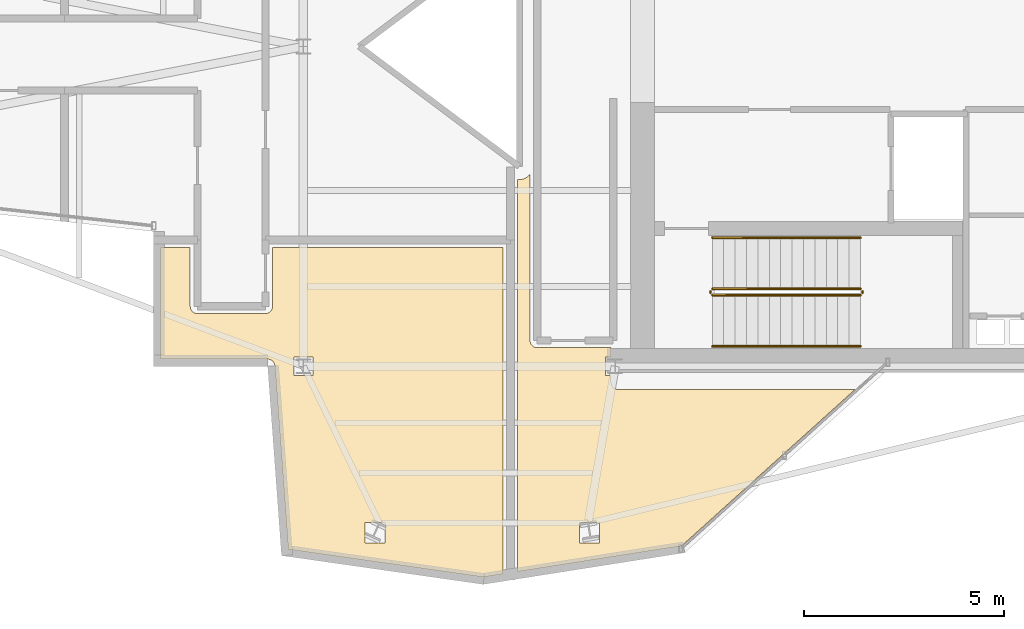
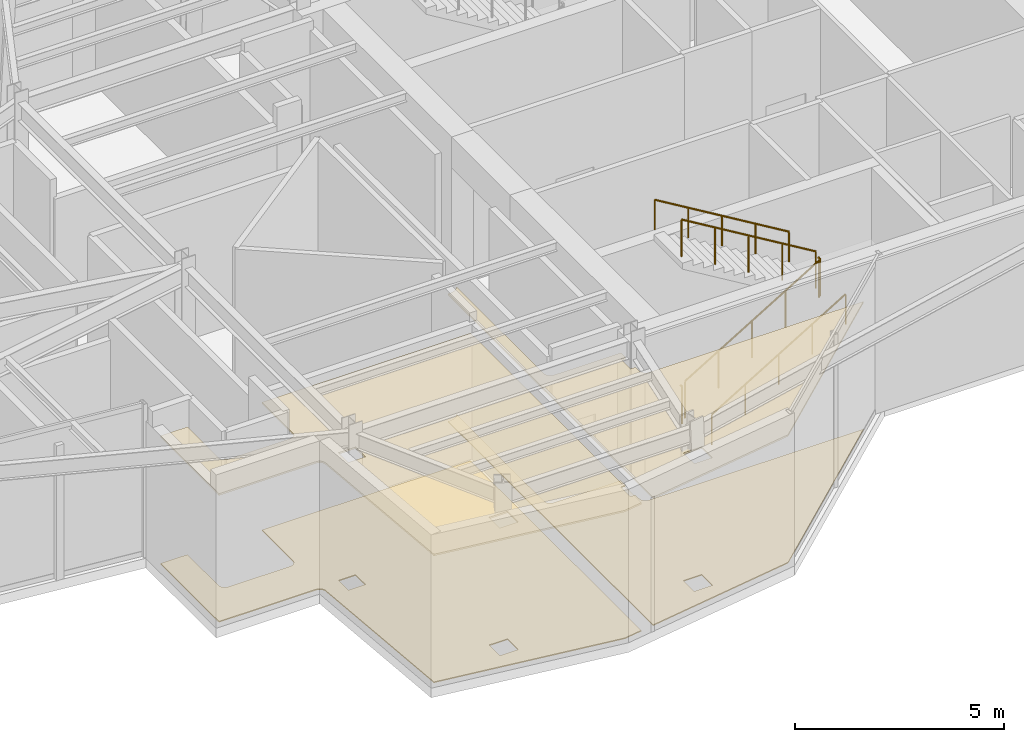
# One storey, part 10 of 11: 6 railings, 4 coverings.
"""IFC4 building model written with IfcOpenShell, lengths in metres."""

from ifc_helpers import new_model, si_unit, direction, frame, origin, origin_2d, place, context, subcontext, project, spatial, polyline, circle, outline, extrude, material, layer, layer_set, type_object, element, save


model = new_model("IFC4")

# Units and contexts
model_context = context("Model", 3, precision=1e-05, world=origin(), true_north=direction((0.0, 1.0)))
body_context = subcontext(model_context, "Body", "Model", "MODEL_VIEW")
ifc_project = project(units=[si_unit("LENGTHUNIT", "METRE"), si_unit("AREAUNIT", "SQUARE_METRE"), si_unit("VOLUMEUNIT", "CUBIC_METRE"), si_unit("PLANEANGLEUNIT", "RADIAN"), si_unit("MASSUNIT", "GRAM", prefix="KILO")], contexts=[model_context])

# Site, building, storey
site_placement = place(None, origin())
site = spatial("IfcSite", under=ifc_project, at=site_placement, CompositionType="ELEMENT")
building_placement = place(site_placement, origin())
building = spatial("IfcBuilding", under=site, at=building_placement, Name="Veymaron Broadcast Tower", CompositionType="ELEMENT")
storey_placement = place(building_placement, frame((0.0, 0.0, 327.60009765625)))
storey = spatial("IfcBuildingStorey", under=building, at=storey_placement, Name="L77", CompositionType="ELEMENT", Elevation=327.60009765625)

# Coverings
ifc_material_1 = material(Name="Micro-perforated dark-anodised aluminium baffle", Category="aluminium")
ifc_layer_1 = layer(ifc_material_1, 0.050048828125)
ifc_layer_set_1 = layer_set([ifc_layer_1], Name="Micro-perforated dark-anodised aluminium baffle")
covering_type_1 = type_object("IfcCoveringType", Name="COV-CEIL-MTL", PredefinedType="CEILING", material=ifc_layer_set_1)
covering_1_placement = place(storey_placement, frame((0.0, 0.0, 3.7099609375)))
element("IfcCovering", 1, at=covering_1_placement, inside=storey, type_object=covering_type_1, Name="L77 suspended acoustic ceiling 1", PredefinedType="CEILING", context=body_context, shape_type="SweptSolid", body=[
    extrude(outline(polyline([(36.78125, 20.724365234375), (36.79541015625, 20.734375), (36.806884765625, 20.7431640625), (36.820068359375, 20.75439453125), (36.830810546875, 20.76416015625), (36.8427734375, 20.776611328125), (36.852294921875, 20.787353515625), (36.863037109375, 20.801025390625), (36.8701171875, 20.810546875), (36.8701171875, 16.64404296875), (36.870849609375, 16.62646484375), (36.87353515625, 16.60888671875), (36.877685546875, 16.591796875), (36.8837890625, 16.5751953125), (36.891357421875, 16.55908203125), (36.900390625, 16.5439453125), (36.910888671875, 16.52978515625), (36.922607421875, 16.5166015625), (36.935791015625, 16.5048828125), (36.949951171875, 16.494384765625), (36.965087890625, 16.4853515625), (36.981201171875, 16.477783203125), (36.997802734375, 16.4716796875), (37.014892578125, 16.467529296875), (37.032470703125, 16.46484375), (37.050048828125, 16.464111328125), (38.89990234375, 16.464111328125), (38.89990234375, 16.23388671875), (38.763427734375, 16.23388671875), (38.763427734375, 15.76611328125), (38.89990234375, 15.76611328125), (38.89990234375, 15.60009765625), (38.90087890625, 15.58251953125), (38.903564453125, 15.56494140625), (38.90771484375, 15.547607421875), (38.913818359375, 15.531005859375), (38.92138671875, 15.51513671875), (38.930419921875, 15.5), (38.94091796875, 15.48583984375), (38.95263671875, 15.47265625), (38.9658203125, 15.4609375), (38.97998046875, 15.4501953125), (38.9951171875, 15.44140625), (39.010986328125, 15.43359375), (39.027587890625, 15.427734375), (39.044921875, 15.423583984375), (39.0625, 15.4208984375), (39.080078125, 15.419921875), (45.00048828125, 15.419921875), (40.658447265625, 11.505615234375), (36.555908203125, 10.861328125), (36.555908203125, 20.673095703125), (36.569580078125, 20.67138671875), (36.5869140625, 20.67041015625), (36.601318359375, 20.670166015625), (36.61865234375, 20.670654296875), (36.633056640625, 20.671875), (36.650390625, 20.673828125), (36.66455078125, 20.676513671875), (36.681396484375, 20.680419921875), (36.6953125, 20.68408203125), (36.711669921875, 20.689697265625), (36.72509765625, 20.69482421875), (36.740966796875, 20.701904296875), (36.75390625, 20.708251953125), (36.76904296875, 20.716796875), (36.78125, 20.724365234375)]), holes=[polyline([(38.613037109375, 12.097900390625), (38.10693359375, 12.097900390625), (38.10693359375, 11.58203125), (38.613037109375, 11.58203125), (38.613037109375, 12.097900390625)])]), origin(), (0.0, 0.0, 1.0), 0.050048828125),
])
covering_2_placement = place(storey_placement, frame((0.0, 0.0, 3.7099609375)))
element("IfcCovering", 2, at=covering_2_placement, inside=storey, type_object=covering_type_1, Name="L77 suspended acoustic ceiling 2", PredefinedType="CEILING", context=body_context, shape_type="SweptSolid", body=[
    extrude(outline(polyline([(30.34228515625, 16.176513671875), (30.324462890625, 16.17919921875), (30.306396484375, 16.179931640625), (27.6279296875, 16.179931640625), (27.6279296875, 18.97607421875), (28.3701171875, 18.97607421875), (28.3701171875, 17.5), (28.370849609375, 17.482421875), (28.37353515625, 17.46484375), (28.377685546875, 17.44775390625), (28.3837890625, 17.43115234375), (28.391357421875, 17.4150390625), (28.400390625, 17.39990234375), (28.410888671875, 17.3857421875), (28.422607421875, 17.372802734375), (28.435791015625, 17.36083984375), (28.449951171875, 17.350341796875), (28.465087890625, 17.34130859375), (28.481201171875, 17.333740234375), (28.497802734375, 17.327880859375), (28.514892578125, 17.323486328125), (28.532470703125, 17.32080078125), (28.550048828125, 17.320068359375), (30.25, 17.320068359375), (30.267578125, 17.32080078125), (30.28515625, 17.323486328125), (30.30224609375, 17.327880859375), (30.31884765625, 17.333740234375), (30.3349609375, 17.34130859375), (30.35009765625, 17.350341796875), (30.3642578125, 17.36083984375), (30.377197265625, 17.372802734375), (30.38916015625, 17.3857421875), (30.399658203125, 17.39990234375), (30.40869140625, 17.4150390625), (30.416259765625, 17.43115234375), (30.422119140625, 17.44775390625), (30.426513671875, 17.46484375), (30.42919921875, 17.482421875), (30.429931640625, 17.5), (30.429931640625, 18.97607421875), (36.196044921875, 18.97607421875), (36.196044921875, 10.8046875), (35.694580078125, 10.72607421875), (30.82177734375, 11.421630859375), (30.486083984375, 16.01318359375), (30.48388671875, 16.031005859375), (30.479736328125, 16.048583984375), (30.47412109375, 16.0654296875), (30.466796875, 16.081787109375), (30.457763671875, 16.097412109375), (30.447509765625, 16.112060546875), (30.435546875, 16.12548828125), (30.42236328125, 16.1376953125), (30.407958984375, 16.148681640625), (30.392578125, 16.157958984375), (30.37646484375, 16.165771484375), (30.359619140625, 16.172119140625), (30.34228515625, 16.176513671875)]), holes=[polyline([(32.739013671875, 12.097900390625), (32.739013671875, 11.58203125), (33.2451171875, 11.58203125), (33.2451171875, 12.097900390625), (32.739013671875, 12.097900390625)]), polyline([(30.96337890625, 16.23388671875), (30.96337890625, 15.76611328125), (31.4365234375, 15.76611328125), (31.4365234375, 16.23388671875), (30.96337890625, 16.23388671875)])]), origin(), (0.0, 0.0, 1.0), 0.050048828125),
])
ifc_material_2 = material(Name="Honed Saudi basalt stone flooring", Category="masonry")
ifc_layer_2 = layer(ifc_material_2, 0.030029296875)
ifc_layer_set_2 = layer_set([ifc_layer_2], Name="Honed Saudi basalt stone flooring")
covering_type_2 = type_object("IfcCoveringType", Name="COV-FLR-STN", PredefinedType="FLOORING", material=ifc_layer_set_2)
covering_3_placement = place(storey_placement, origin())
element("IfcCovering", 3, at=covering_3_placement, inside=storey, type_object=covering_type_2, Name="L77 finished flooring 1", PredefinedType="FLOORING", context=body_context, shape_type="SweptSolid", body=[
    extrude(outline(polyline([(36.78125, 20.724365234375), (36.79541015625, 20.734375), (36.806884765625, 20.7431640625), (36.820068359375, 20.75439453125), (36.830810546875, 20.76416015625), (36.8427734375, 20.776611328125), (36.852294921875, 20.787353515625), (36.863037109375, 20.801025390625), (36.8701171875, 20.810546875), (36.8701171875, 16.64404296875), (36.870849609375, 16.62646484375), (36.87353515625, 16.60888671875), (36.877685546875, 16.591796875), (36.8837890625, 16.5751953125), (36.891357421875, 16.55908203125), (36.900390625, 16.5439453125), (36.910888671875, 16.52978515625), (36.922607421875, 16.5166015625), (36.935791015625, 16.5048828125), (36.949951171875, 16.494384765625), (36.965087890625, 16.4853515625), (36.981201171875, 16.477783203125), (36.997802734375, 16.4716796875), (37.014892578125, 16.467529296875), (37.032470703125, 16.46484375), (37.050048828125, 16.464111328125), (38.89990234375, 16.464111328125), (38.89990234375, 16.23388671875), (38.763427734375, 16.23388671875), (38.763427734375, 15.76611328125), (38.89990234375, 15.76611328125), (38.89990234375, 15.60009765625), (38.90087890625, 15.58251953125), (38.903564453125, 15.56494140625), (38.90771484375, 15.547607421875), (38.913818359375, 15.531005859375), (38.92138671875, 15.51513671875), (38.930419921875, 15.5), (38.94091796875, 15.48583984375), (38.95263671875, 15.47265625), (38.9658203125, 15.4609375), (38.97998046875, 15.4501953125), (38.9951171875, 15.44140625), (39.010986328125, 15.43359375), (39.027587890625, 15.427734375), (39.044921875, 15.423583984375), (39.0625, 15.4208984375), (39.080078125, 15.419921875), (45.00048828125, 15.419921875), (40.658447265625, 11.505615234375), (36.555908203125, 10.861328125), (36.555908203125, 20.673095703125), (36.569580078125, 20.67138671875), (36.5869140625, 20.67041015625), (36.601318359375, 20.670166015625), (36.61865234375, 20.670654296875), (36.633056640625, 20.671875), (36.650390625, 20.673828125), (36.66455078125, 20.676513671875), (36.681396484375, 20.680419921875), (36.6953125, 20.68408203125), (36.711669921875, 20.689697265625), (36.72509765625, 20.69482421875), (36.740966796875, 20.701904296875), (36.75390625, 20.708251953125), (36.76904296875, 20.716796875), (36.78125, 20.724365234375)]), holes=[polyline([(38.613037109375, 12.097900390625), (38.10693359375, 12.097900390625), (38.10693359375, 11.58203125), (38.613037109375, 11.58203125), (38.613037109375, 12.097900390625)])]), origin(), (0.0, 0.0, 1.0), 0.02978515625),
])
covering_4_placement = place(storey_placement, origin())
element("IfcCovering", 4, at=covering_4_placement, inside=storey, type_object=covering_type_2, Name="L77 finished flooring 2", PredefinedType="FLOORING", context=body_context, shape_type="SweptSolid", body=[
    extrude(outline(polyline([(30.34228515625, 16.176513671875), (30.324462890625, 16.17919921875), (30.306396484375, 16.179931640625), (27.6279296875, 16.179931640625), (27.6279296875, 18.97607421875), (28.3701171875, 18.97607421875), (28.3701171875, 17.5), (28.370849609375, 17.482421875), (28.37353515625, 17.46484375), (28.377685546875, 17.44775390625), (28.3837890625, 17.43115234375), (28.391357421875, 17.4150390625), (28.400390625, 17.39990234375), (28.410888671875, 17.3857421875), (28.422607421875, 17.372802734375), (28.435791015625, 17.36083984375), (28.449951171875, 17.350341796875), (28.465087890625, 17.34130859375), (28.481201171875, 17.333740234375), (28.497802734375, 17.327880859375), (28.514892578125, 17.323486328125), (28.532470703125, 17.32080078125), (28.550048828125, 17.320068359375), (30.25, 17.320068359375), (30.267578125, 17.32080078125), (30.28515625, 17.323486328125), (30.30224609375, 17.327880859375), (30.31884765625, 17.333740234375), (30.3349609375, 17.34130859375), (30.35009765625, 17.350341796875), (30.3642578125, 17.36083984375), (30.377197265625, 17.372802734375), (30.38916015625, 17.3857421875), (30.399658203125, 17.39990234375), (30.40869140625, 17.4150390625), (30.416259765625, 17.43115234375), (30.422119140625, 17.44775390625), (30.426513671875, 17.46484375), (30.42919921875, 17.482421875), (30.429931640625, 17.5), (30.429931640625, 18.97607421875), (36.196044921875, 18.97607421875), (36.196044921875, 10.8046875), (35.694580078125, 10.72607421875), (30.82177734375, 11.421630859375), (30.486083984375, 16.01318359375), (30.48388671875, 16.031005859375), (30.479736328125, 16.048583984375), (30.47412109375, 16.0654296875), (30.466796875, 16.081787109375), (30.457763671875, 16.097412109375), (30.447509765625, 16.112060546875), (30.435546875, 16.12548828125), (30.42236328125, 16.1376953125), (30.407958984375, 16.148681640625), (30.392578125, 16.157958984375), (30.37646484375, 16.165771484375), (30.359619140625, 16.172119140625), (30.34228515625, 16.176513671875)]), holes=[polyline([(32.739013671875, 12.097900390625), (32.739013671875, 11.58203125), (33.2451171875, 11.58203125), (33.2451171875, 12.097900390625), (32.739013671875, 12.097900390625)]), polyline([(30.96337890625, 16.23388671875), (30.96337890625, 15.76611328125), (31.4365234375, 15.76611328125), (31.4365234375, 16.23388671875), (30.96337890625, 16.23388671875)])]), origin(), (0.0, 0.0, 1.0), 0.02978515625),
])

# Railings
ifc_material_3 = material(Name="Brushed stainless steel AISI 304", Category="steel")
railing_type_1 = type_object("IfcRailingType", Name="RAIL-STAIR-HR", PredefinedType="HANDRAIL", material=ifc_material_3)
railing_1_placement = place(storey_placement, frame((41.429931640625, 16.5, 0.17138671875)))
element("IfcRailing", 5, at=railing_1_placement, inside=storey, type_object=railing_type_1, Name="L77 ST2 stair handrail 1", PredefinedType="HANDRAIL", context=body_context, shape_type="SweptSolid", body=[
    extrude(circle(Radius=0.02392578125, at=origin_2d()), frame((0.0, 0.0, 0.8759765625), z_axis=(0.856934400257, 0.0, 0.515425487977), x_axis=(0.0, 1.0, 0.0)), (0.0, 0.0, 1.0), 4.32373046875),
    extrude(circle(Radius=0.02099609375, at=origin_2d()), origin(), (0.0, 0.0, 1.0), 0.851806640625),
    extrude(circle(Radius=0.02099609375, at=origin_2d()), frame((0.92626953125, 0.0, 0.55712890625)), (0.0, 0.0, 1.0), 0.851806640625),
    extrude(circle(Radius=0.02099609375, at=origin_2d()), frame((1.8525390625, 0.0, 1.1142578125)), (0.0, 0.0, 1.0), 0.851806640625),
    extrude(circle(Radius=0.02099609375, at=origin_2d()), frame((2.77880859375, 0.0, 1.67138671875)), (0.0, 0.0, 1.0), 0.851806640625),
    extrude(circle(Radius=0.02099609375, at=origin_2d()), frame((3.705078125, 0.0, 2.228515625)), (0.0, 0.0, 1.0), 0.851806640625),
])
railing_2_placement = place(storey_placement, frame((45.135009765625, 19.219970703125, 2.5712890625)))
element("IfcRailing", 6, at=railing_2_placement, inside=storey, type_object=railing_type_1, Name="L77 ST2 stair handrail 2", PredefinedType="HANDRAIL", context=body_context, shape_type="SweptSolid", body=[
    extrude(circle(Radius=0.02392578125, at=origin_2d()), frame((0.0, 0.0, 0.8759765625), z_axis=(-0.856934400257, 0.0, 0.515425487977), x_axis=(0.0, -1.0, 0.0)), (0.0, 0.0, 1.0), 4.32373046875),
    extrude(circle(Radius=0.02099609375, at=origin_2d()), origin(), (0.0, 0.0, 1.0), 0.851806640625),
    extrude(circle(Radius=0.02099609375, at=origin_2d()), frame((-0.92626953125, 0.0, 0.55712890625)), (0.0, 0.0, 1.0), 0.851806640625),
    extrude(circle(Radius=0.02099609375, at=origin_2d()), frame((-1.8525390625, 0.0, 1.1142578125)), (0.0, 0.0, 1.0), 0.851806640625),
    extrude(circle(Radius=0.02099609375, at=origin_2d()), frame((-2.77880859375, 0.0, 1.67138671875)), (0.0, 0.0, 1.0), 0.851806640625),
    extrude(circle(Radius=0.02099609375, at=origin_2d()), frame((-3.705078125, 0.0, 2.228515625)), (0.0, 0.0, 1.0), 0.851806640625),
])
ifc_material_4 = material(Name="Painted galvanized steel balustrade", Category="steel")
railing_type_2 = type_object("IfcRailingType", Name="RAIL-WELL-GRD", PredefinedType="GUARDRAIL", material=ifc_material_4)
railing_3_placement = place(storey_placement, frame((41.429931640625, 17.780029296875, 0.17138671875)))
element("IfcRailing", 7, at=railing_3_placement, inside=storey, type_object=railing_type_2, Name="L77 ST2 stair guard 1", PredefinedType="GUARDRAIL", context=body_context, shape_type="SweptSolid", body=[
    extrude(circle(Radius=0.02392578125, at=origin_2d()), frame((0.0, 0.0, 1.076171875), z_axis=(0.856934400257, 0.0, 0.515425487977), x_axis=(0.0, 1.0, 0.0)), (0.0, 0.0, 1.0), 4.32373046875),
    extrude(circle(Radius=0.02099609375, at=origin_2d()), origin(), (0.0, 0.0, 1.0), 1.052001953125),
    extrude(circle(Radius=0.02099609375, at=origin_2d()), frame((0.92626953125, 0.0, 0.55712890625)), (0.0, 0.0, 1.0), 1.052001953125),
    extrude(circle(Radius=0.02099609375, at=origin_2d()), frame((1.8525390625, 0.0, 1.1142578125)), (0.0, 0.0, 1.0), 1.052001953125),
    extrude(circle(Radius=0.02099609375, at=origin_2d()), frame((2.77880859375, 0.0, 1.67138671875)), (0.0, 0.0, 1.0), 1.052001953125),
    extrude(circle(Radius=0.02099609375, at=origin_2d()), frame((3.705078125, 0.0, 2.228515625)), (0.0, 0.0, 1.0), 1.052001953125),
])
railing_4_placement = place(storey_placement, frame((45.18505859375, 17.830078125, 2.39990234375)))
element("IfcRailing", 8, at=railing_4_placement, inside=storey, type_object=railing_type_2, Name="L77 ST2 stair guard 2", PredefinedType="GUARDRAIL", context=body_context, shape_type="SweptSolid", body=[
    extrude(circle(Radius=0.02392578125, at=origin_2d()), frame((0.0, 0.0, 1.076171875), z_axis=(0.0, 1.0, 0.0), x_axis=(-1.0, 0.0, 0.0)), (0.0, 0.0, 1.0), 0.059814453125),
    extrude(circle(Radius=0.02099609375, at=origin_2d()), origin(), (0.0, 0.0, 1.0), 1.052001953125),
])
railing_5_placement = place(storey_placement, frame((45.135009765625, 17.93994140625, 2.5712890625)))
element("IfcRailing", 9, at=railing_5_placement, inside=storey, type_object=railing_type_2, Name="L77 ST2 stair guard 3", PredefinedType="GUARDRAIL", context=body_context, shape_type="SweptSolid", body=[
    extrude(circle(Radius=0.02392578125, at=origin_2d()), frame((0.0, 0.0, 1.076171875), z_axis=(-0.856934400257, 0.0, 0.515425487977), x_axis=(0.0, -1.0, 0.0)), (0.0, 0.0, 1.0), 4.32373046875),
    extrude(circle(Radius=0.02099609375, at=origin_2d()), origin(), (0.0, 0.0, 1.0), 1.052001953125),
    extrude(circle(Radius=0.02099609375, at=origin_2d()), frame((-0.92626953125, 0.0, 0.55712890625)), (0.0, 0.0, 1.0), 1.052001953125),
    extrude(circle(Radius=0.02099609375, at=origin_2d()), frame((-1.8525390625, 0.0, 1.1142578125)), (0.0, 0.0, 1.0), 1.052001953125),
    extrude(circle(Radius=0.02099609375, at=origin_2d()), frame((-2.77880859375, 0.0, 1.67138671875)), (0.0, 0.0, 1.0), 1.052001953125),
    extrude(circle(Radius=0.02099609375, at=origin_2d()), frame((-3.705078125, 0.0, 2.228515625)), (0.0, 0.0, 1.0), 1.052001953125),
])
railing_6_placement = place(storey_placement, frame((41.3798828125, 17.830078125, 0.0)))
element("IfcRailing", 10, at=railing_6_placement, inside=storey, type_object=railing_type_2, Name="L77 ST2 stair guard 4", PredefinedType="GUARDRAIL", context=body_context, shape_type="SweptSolid", body=[
    extrude(circle(Radius=0.02392578125, at=origin_2d()), frame((0.0, 0.0, 1.076171875), z_axis=(0.0, 1.0, 0.0), x_axis=(-1.0, 0.0, 0.0)), (0.0, 0.0, 1.0), 0.059814453125),
    extrude(circle(Radius=0.02099609375, at=origin_2d()), origin(), (0.0, 0.0, 1.0), 1.052001953125),
])

save(model, "model.ifc")
